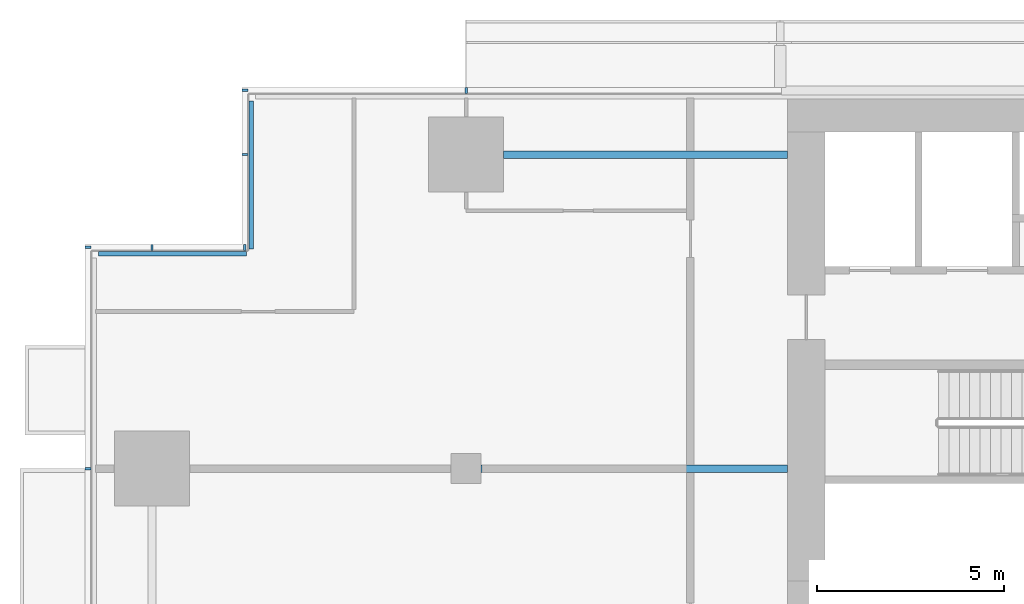
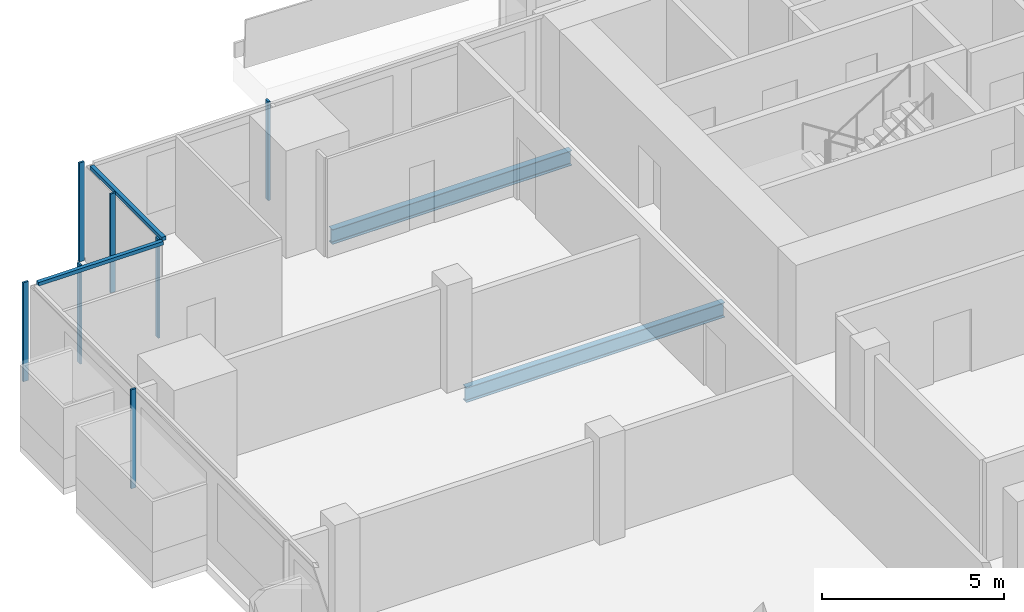
# One storey, part 8 of 26: 9 members, 2 beams, 4 elements without a shape of their own.
"""IFC4 building model written with IfcOpenShell, lengths in metres."""

from ifc_helpers import new_model, si_unit, direction, frame, origin, origin_2d, place, context, subcontext, project, spatial, rectangle, i_section, extrude, material, material_profile, profile_set, type_object, element, aggregate, save


model = new_model("IFC4")

# Units and contexts
model_context = context("Model", 3, precision=1e-05, world=origin(), true_north=direction((0.0, 1.0)))
body_context = subcontext(model_context, "Body", "Model", "MODEL_VIEW")
ifc_project = project(units=[si_unit("LENGTHUNIT", "METRE"), si_unit("AREAUNIT", "SQUARE_METRE"), si_unit("VOLUMEUNIT", "CUBIC_METRE"), si_unit("PLANEANGLEUNIT", "RADIAN"), si_unit("MASSUNIT", "GRAM", prefix="KILO")], contexts=[model_context])

# Site, building, storey
site_placement = place(None, origin())
site = spatial("IfcSite", under=ifc_project, at=site_placement, CompositionType="ELEMENT")
building_placement = place(site_placement, origin())
building = spatial("IfcBuilding", under=site, at=building_placement, Name="Saffron Gate Tower", CompositionType="ELEMENT")
storey_placement = place(building_placement, frame((0.0, 0.0, 102.449951171875)))
storey = spatial("IfcBuildingStorey", under=building, at=storey_placement, Name="L23", CompositionType="ELEMENT", Elevation=102.449951171875)

# Beams
ifc_material_1 = material(Name="Structural steel S355", Category="steel")
ifc_material_profile_1 = material_profile(ifc_material_1, i_section(OverallWidth=0.199951171875, OverallDepth=0.5, WebThickness=0.01025390625, FlangeThickness=0.01611328125, FilletRadius=0.02099609375, at=origin_2d()))
ifc_profile_set_1 = profile_set([ifc_material_profile_1], Name="Structural steel S355")
beam_type = type_object("IfcBeamType", Name="B10 IPE 500", PredefinedType="BEAM", material=ifc_profile_set_1)
beam_1_placement = place(storey_placement, frame((58.60009765625, 65.39990234375, -0.530029296875), z_axis=(1.0, 0.0, 0.0), x_axis=(0.0, 1.0, 0.0)))
element("IfcBeam", 1, at=beam_1_placement, inside=storey, type_object=beam_type, Name="B10 CORE TIE BEAM", PredefinedType="BEAM", context=body_context, shape_type="SweptSolid", body=[
    extrude(i_section(OverallWidth=0.199951171875, OverallDepth=0.5, WebThickness=0.01025390625, FlangeThickness=0.01611328125, FilletRadius=0.02099609375, at=origin_2d()), origin(), (0.0, 0.0, 1.0), 8.199951171875),
])
beam_2_placement = place(storey_placement, frame((59.199951171875, 73.800048828125, -0.530029296875), z_axis=(1.0, 0.0, 0.0), x_axis=(0.0, 1.0, 0.0)))
element("IfcBeam", 2, at=beam_2_placement, inside=storey, type_object=beam_type, Name="B10 CORE TIE BEAM", PredefinedType="BEAM", context=body_context, shape_type="SweptSolid", body=[
    extrude(i_section(OverallWidth=0.199951171875, OverallDepth=0.5, WebThickness=0.01025390625, FlangeThickness=0.01611328125, FilletRadius=0.02099609375, at=origin_2d()), origin(), (0.0, 0.0, 1.0), 7.60009765625),
])

# Curtain wall, members
ifc_material_2 = material(Name="Aluminium, bronze anodised", Category="aluminium")
curtain_wall_type_1 = type_object("IfcCurtainWallType", Name="CWS2 curtain wall side facades", PredefinedType="NOTDEFINED", material=ifc_material_2)
curtain_wall_1_placement = place(storey_placement, origin())
curtain_wall_1 = element("IfcCurtainWall", 3, at=curtain_wall_1_placement, inside=storey, type_object=curtain_wall_type_1, Name="CWS2 run 10", PredefinedType="NOTDEFINED")
ifc_material_profile_2 = material_profile(ifc_material_2, rectangle(XDim=0.159912109375, YDim=0.06005859375, at=origin_2d()))
ifc_profile_set_2 = profile_set([ifc_material_profile_2], Name="Aluminium, bronze anodised")
member_type_1 = type_object("IfcMemberType", Name="CWS2 mullion 60x160", PredefinedType="MULLION", material=ifc_profile_set_2)
member_1_placement = place(storey_placement, frame((48.080078125, 71.320068359375, 0.0), z_axis=(0.0, 0.0, 1.0), x_axis=(1.0, 0.0, 0.0)))
member_1 = element("IfcMember", 4, at=member_1_placement, type_object=member_type_1, Name="CWS2 mullion 1", PredefinedType="MULLION", context=body_context, shape_type="SweptSolid", body=[
    extrude(rectangle(XDim=0.159912109375, YDim=0.06005859375, at=origin_2d()), origin(), (0.0, 0.0, 1.0), 3.320068359375),
])
member_2_placement = place(storey_placement, frame((48.080078125, 65.39990234375, 0.0), z_axis=(0.0, 0.0, 1.0), x_axis=(1.0, 0.0, 0.0)))
member_2 = element("IfcMember", 5, at=member_2_placement, type_object=member_type_1, Name="CWS2 mullion 2", PredefinedType="MULLION", context=body_context, shape_type="SweptSolid", body=[
    extrude(rectangle(XDim=0.159912109375, YDim=0.06005859375, at=origin_2d()), origin(), (0.0, 0.0, 1.0), 3.320068359375),
])
aggregate(curtain_wall_1, [member_1, member_2])

# Curtain wall, member
curtain_wall_type_2 = type_object("IfcCurtainWallType", Name="CWS3 curtain wall rear facade", PredefinedType="NOTDEFINED", material=ifc_material_2)
curtain_wall_2_placement = place(storey_placement, origin())
curtain_wall_2 = element("IfcCurtainWall", 6, at=curtain_wall_2_placement, inside=storey, type_object=curtain_wall_type_2, Name="CWS3 run 7", PredefinedType="NOTDEFINED")
ifc_material_profile_3 = material_profile(ifc_material_2, rectangle(XDim=0.159912109375, YDim=0.070068359375, at=origin_2d()))
ifc_profile_set_3 = profile_set([ifc_material_profile_3], Name="Aluminium, bronze anodised")
member_type_2 = type_object("IfcMemberType", Name="CWS3 mullion 70x160", PredefinedType="MULLION", material=ifc_profile_set_3)
member_3_placement = place(storey_placement, frame((58.199951171875, 75.52001953125, 0.0), z_axis=(0.0, 0.0, 1.0), x_axis=(0.0, -1.0, 0.0)))
member_3 = element("IfcMember", 7, at=member_3_placement, type_object=member_type_2, Name="CWS3 mullion 9", PredefinedType="MULLION", context=body_context, shape_type="SweptSolid", body=[
    extrude(rectangle(XDim=0.159912109375, YDim=0.070068359375, at=origin_2d()), origin(), (0.0, 0.0, 1.0), 3.320068359375),
])
aggregate(curtain_wall_2, [member_3])

curtain_wall_type_3 = type_object("IfcCurtainWallType", Name="CWS4 curtain wall corner returns", PredefinedType="NOTDEFINED", material=ifc_material_2)
curtain_wall_3_placement = place(storey_placement, origin())
curtain_wall_3 = element("IfcCurtainWall", 8, at=curtain_wall_3_placement, inside=storey, type_object=curtain_wall_type_3, Name="CWS4 run 8", PredefinedType="NOTDEFINED")
ifc_material_profile_4 = material_profile(ifc_material_2, rectangle(XDim=0.1201171875, YDim=0.1201171875, at=origin_2d()))
ifc_profile_set_4 = profile_set([ifc_material_profile_4], Name="Aluminium, bronze anodised")
member_type_3 = type_object("IfcMemberType", Name="CWS4 head transom", PredefinedType="USERDEFINED", material=ifc_profile_set_4)
member_4_placement = place(storey_placement, frame((52.447998046875, 75.23193359375, 3.260009765625), z_axis=(0.0, -1.0, 0.0), x_axis=(1.0, 0.0, 0.0)))
member_4 = element("IfcMember", 9, at=member_4_placement, type_object=member_type_3, Name="CWS4 head transom", ObjectType="TRANSOM", PredefinedType="USERDEFINED", context=body_context, shape_type="SweptSolid", body=[
    extrude(rectangle(XDim=0.1201171875, YDim=0.1201171875, at=origin_2d()), origin(), (0.0, 0.0, 1.0), 3.9599609375),
])

curtain_wall_4_placement = place(storey_placement, origin())
curtain_wall_4 = element("IfcCurtainWall", 10, at=curtain_wall_4_placement, inside=storey, type_object=curtain_wall_type_3, Name="CWS4 run 9", PredefinedType="NOTDEFINED")
member_5_placement = place(storey_placement, frame((52.327880859375, 71.152099609375, 3.260009765625), z_axis=(-1.0, 0.0, 0.0), x_axis=(0.0, -1.0, 0.0)))
member_5 = element("IfcMember", 11, at=member_5_placement, type_object=member_type_3, Name="CWS4 head transom", ObjectType="TRANSOM", PredefinedType="USERDEFINED", context=body_context, shape_type="SweptSolid", body=[
    extrude(rectangle(XDim=0.1201171875, YDim=0.1201171875, at=origin_2d()), origin(), (0.0, 0.0, 1.0), 3.9599609375),
])

# Member
ifc_material_profile_5 = material_profile(ifc_material_2, rectangle(XDim=0.159912109375, YDim=0.06005859375, at=origin_2d()))
ifc_profile_set_5 = profile_set([ifc_material_profile_5], Name="Aluminium, bronze anodised")
member_type_4 = type_object("IfcMemberType", Name="CWS4 mullion 60x160", PredefinedType="MULLION", material=ifc_profile_set_5)
member_6_placement = place(storey_placement, frame((52.280029296875, 75.52001953125, 0.0), z_axis=(0.0, 0.0, 1.0), x_axis=(1.0, 0.0, 0.0)))
member_6 = element("IfcMember", 12, at=member_6_placement, type_object=member_type_4, Name="CWS4 mullion 1", PredefinedType="MULLION", context=body_context, shape_type="SweptSolid", body=[
    extrude(rectangle(XDim=0.159912109375, YDim=0.06005859375, at=origin_2d()), origin(), (0.0, 0.0, 1.0), 3.320068359375),
])

member_7_placement = place(storey_placement, frame((52.280029296875, 73.800048828125, 0.0), z_axis=(0.0, 0.0, 1.0), x_axis=(1.0, 0.0, 0.0)))
member_7 = element("IfcMember", 13, at=member_7_placement, type_object=member_type_4, Name="CWS4 mullion 2", PredefinedType="MULLION", context=body_context, shape_type="SweptSolid", body=[
    extrude(rectangle(XDim=0.159912109375, YDim=0.06005859375, at=origin_2d()), origin(), (0.0, 0.0, 1.0), 3.320068359375),
])

aggregate(curtain_wall_3, [member_6, member_7, member_4])

member_8_placement = place(storey_placement, frame((52.280029296875, 71.320068359375, 0.0), z_axis=(0.0, 0.0, 1.0), x_axis=(0.0, -1.0, 0.0)))
member_8 = element("IfcMember", 14, at=member_8_placement, type_object=member_type_4, Name="CWS4 mullion 1", PredefinedType="MULLION", context=body_context, shape_type="SweptSolid", body=[
    extrude(rectangle(XDim=0.159912109375, YDim=0.06005859375, at=origin_2d()), origin(), (0.0, 0.0, 1.0), 3.320068359375),
])

member_9_placement = place(storey_placement, frame((49.800048828125, 71.320068359375, 0.0), z_axis=(0.0, 0.0, 1.0), x_axis=(0.0, -1.0, 0.0)))
member_9 = element("IfcMember", 15, at=member_9_placement, type_object=member_type_4, Name="CWS4 mullion 2", PredefinedType="MULLION", context=body_context, shape_type="SweptSolid", body=[
    extrude(rectangle(XDim=0.159912109375, YDim=0.06005859375, at=origin_2d()), origin(), (0.0, 0.0, 1.0), 3.320068359375),
])

aggregate(curtain_wall_4, [member_8, member_9, member_5])

save(model, "model.ifc")
